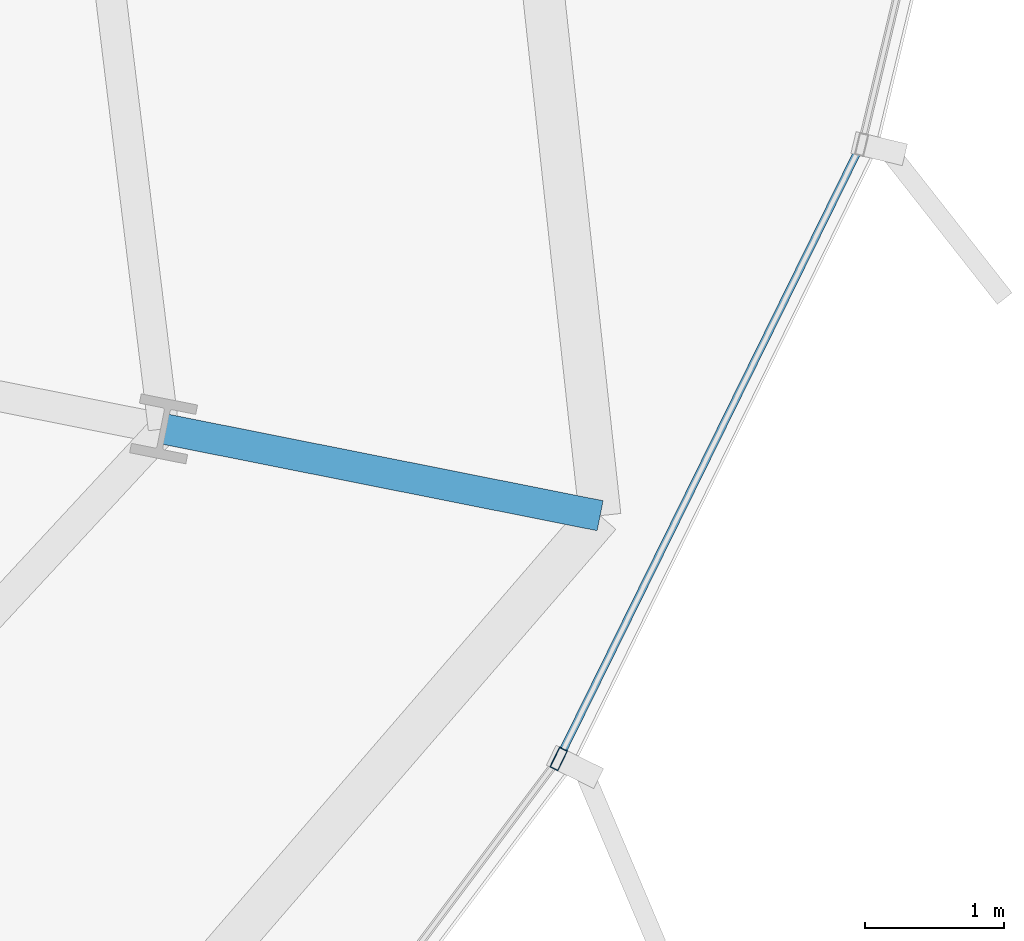
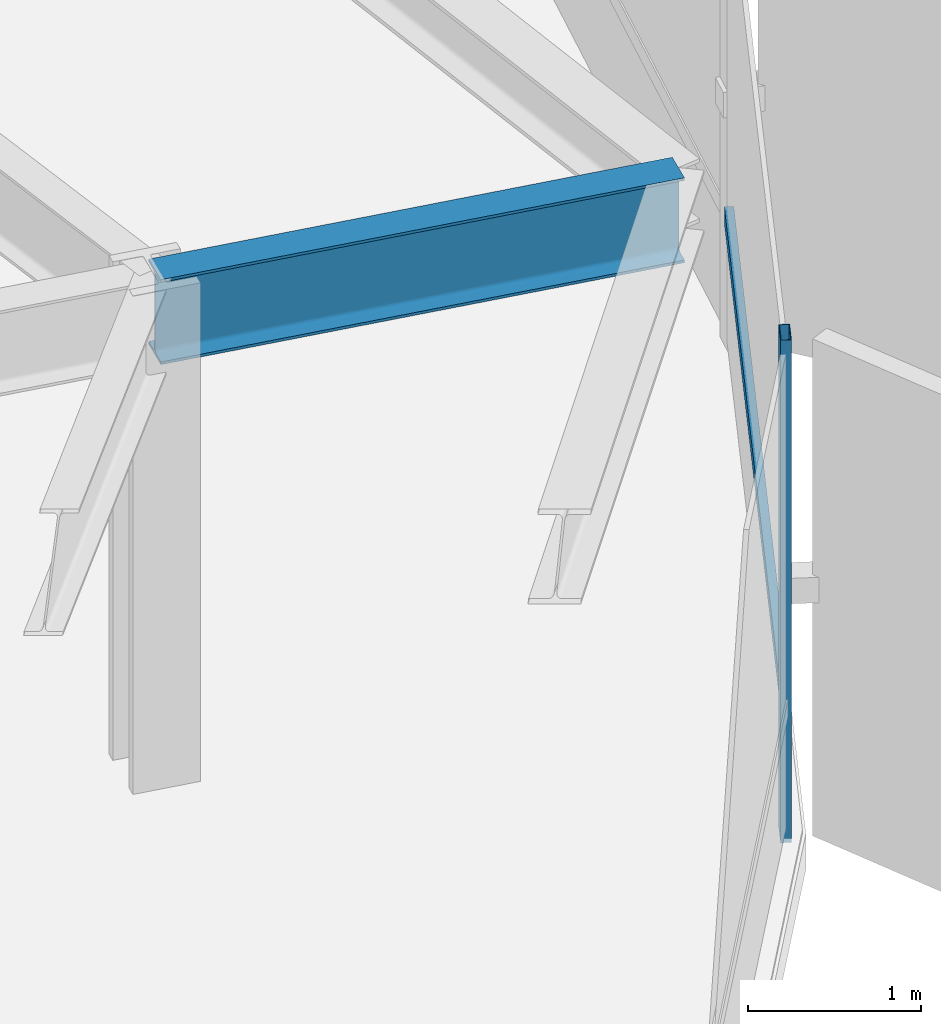
# One storey, part 15 of 38: 2 members, 1 beam, 1 element without a shape of its own.
"""IFC4 building model written with IfcOpenShell, lengths in metres."""

from ifc_helpers import new_model, si_unit, direction, frame, origin, origin_2d, place, context, subcontext, project, spatial, hollow_rectangle, i_section, extrude, source, transform, mapped, material, layer, layer_set, material_profile, profile_set, type_object, element, aggregate, save


model = new_model("IFC4")

# Units and contexts
model_context = context("Model", 3, precision=1e-05, world=origin(), true_north=direction((0.0, 1.0)))
body_context = subcontext(model_context, "Body", "Model", "MODEL_VIEW")
ifc_project = project(units=[si_unit("LENGTHUNIT", "METRE"), si_unit("AREAUNIT", "SQUARE_METRE"), si_unit("VOLUMEUNIT", "CUBIC_METRE"), si_unit("PLANEANGLEUNIT", "RADIAN"), si_unit("MASSUNIT", "GRAM", prefix="KILO"), si_unit("THERMODYNAMICTEMPERATUREUNIT", "KELVIN")], contexts=[model_context])

# Site, building, storey
site_placement = place(None, origin())
site = spatial("IfcSite", under=ifc_project, at=site_placement, CompositionType="ELEMENT")
building_placement = place(site_placement, origin())
building = spatial("IfcBuilding", under=site, at=building_placement, Name="Kethvar Cultural Tower", CompositionType="ELEMENT")
storey_placement = place(building_placement, frame((0.0, 0.0, 67.60009765625)))
storey = spatial("IfcBuildingStorey", under=building, at=storey_placement, Name="L16", CompositionType="ELEMENT", Elevation=67.60009765625)

# Beam
ifc_material_1 = material(Name="Steel S355J2", Category="steel")
ifc_material_profile_1 = material_profile(ifc_material_1, i_section(OverallWidth=0.219970703125, OverallDepth=0.60009765625, WebThickness=0.011962890625, FlangeThickness=0.01904296875, FilletRadius=0.02392578125, at=origin_2d()), Name="Steel S355J2 — IPE600")
ifc_profile_set_1 = profile_set([ifc_material_profile_1], Name="Steel S355J2 — IPE600")
beam_type = type_object("IfcBeamType", Name="BM-IPE600", PredefinedType="BEAM", material=ifc_profile_set_1)
shared_shape_1 = source(origin(), body_context, "Body", "SweptSolid", [
    extrude(i_section(OverallWidth=0.219970703125, OverallDepth=0.60009765625, WebThickness=0.011962890625, FlangeThickness=0.01904296875, FilletRadius=0.02392578125, at=origin_2d()), origin(), (0.0, 0.0, 1.0), 3.199951171875),
])
beam_placement = place(storey_placement, frame((74.9912109375, 22.1923828125, 3.247802734375), z_axis=(0.980785550224, -0.195088965533, 0.0), x_axis=(0.195088965533, 0.980785550224, 0.0)))
element("IfcBeam", 1, at=beam_placement, inside=storey, type_object=beam_type, Name="L16 Perimeter Cantilever Beam RC-16", PredefinedType="BEAM", context=body_context, shape_type="MappedRepresentation", body=[
    mapped(shared_shape_1, transform((0.0, 0.0, 0.0), scale=1.0)),
])

# Curtain wall, members
ifc_material_2 = material(Name="Aluminium 6063-T6", Category="aluminium")
ifc_layer = layer(ifc_material_2, 0.179931640625, Name="Aluminium 6063-T6", Category="aluminium")
ifc_layer_set = layer_set([ifc_layer], Name="Aluminium 6063-T6 (180 mm)")
curtain_wall_type = type_object("IfcCurtainWallType", Name="CW-SYS-02-Z1", PredefinedType="NOTDEFINED", material=ifc_layer_set)
curtain_wall_placement = place(storey_placement, origin())
curtain_wall = element("IfcCurtainWall", 2, at=curtain_wall_placement, inside=storey, type_object=curtain_wall_type, Name="L16 Curtain Wall Run 06", PredefinedType="NOTDEFINED")
ifc_material_profile_2 = material_profile(ifc_material_2, hollow_rectangle(XDim=0.06494140625, YDim=0.159912109375, WallThickness=0.0048828125, at=origin_2d()), Name="Aluminium 6063-T6 — RHS160x65x5")
ifc_profile_set_2 = profile_set([ifc_material_profile_2], Name="Aluminium 6063-T6 — RHS160x65x5")
member_type_1 = type_object("IfcMemberType", Name="CW-SYS-02-Z1-MUL", PredefinedType="MULLION", material=ifc_profile_set_2)
shared_shape_2 = source(origin(), body_context, "Body", "SweptSolid", [
    extrude(hollow_rectangle(XDim=0.06494140625, YDim=0.159912109375, WallThickness=0.0048828125, at=origin_2d()), origin(), (0.0, 0.0, 1.0), 3.5498046875),
])
member_1_placement = place(storey_placement, frame((77.83251953125, 19.8193359375, 0.0), z_axis=(0.0, 0.0, 1.0), x_axis=(-0.897235251252, 0.441552832525, 0.0)))
member_1 = element("IfcMember", 3, at=member_1_placement, type_object=member_type_1, Name="CW-L16-R06 Mullion 5", PredefinedType="MULLION", context=body_context, shape_type="MappedRepresentation", body=[
    mapped(shared_shape_2, transform((0.0, 0.0, 0.0), scale=1.0)),
])
ifc_material_profile_3 = material_profile(ifc_material_2, hollow_rectangle(XDim=0.054931640625, YDim=0.1201171875, WallThickness=0.00390625, at=origin_2d()), Name="Aluminium 6063-T6 — RHS120x55x4")
ifc_profile_set_3 = profile_set([ifc_material_profile_3], Name="Aluminium 6063-T6 — RHS120x55x4")
member_type_2 = type_object("IfcMemberType", Name="CW-SYS-02-Z1-TRN", PredefinedType="USERDEFINED", material=ifc_profile_set_3)
shared_shape_3 = source(origin(), body_context, "Body", "SweptSolid", [
    extrude(hollow_rectangle(XDim=0.054931640625, YDim=0.1201171875, WallThickness=0.00390625, at=origin_2d()), origin(), (0.0, 0.0, 1.0), 4.858154296875),
])
member_2_placement = place(storey_placement, frame((77.853271484375, 19.861328125, 0.949951171875), z_axis=(0.441576363508, 0.897223670659, 0.0), x_axis=(-0.897223670659, 0.441576363508, 0.0)))
member_2 = element("IfcMember", 4, at=member_2_placement, type_object=member_type_2, Name="CW-L16-R06 Transom 5", ObjectType="TRANSOM", PredefinedType="USERDEFINED", context=body_context, shape_type="MappedRepresentation", body=[
    mapped(shared_shape_3, transform((0.0, 0.0, 0.0), scale=1.0)),
])
aggregate(curtain_wall, [member_1, member_2])

save(model, "model.ifc")
